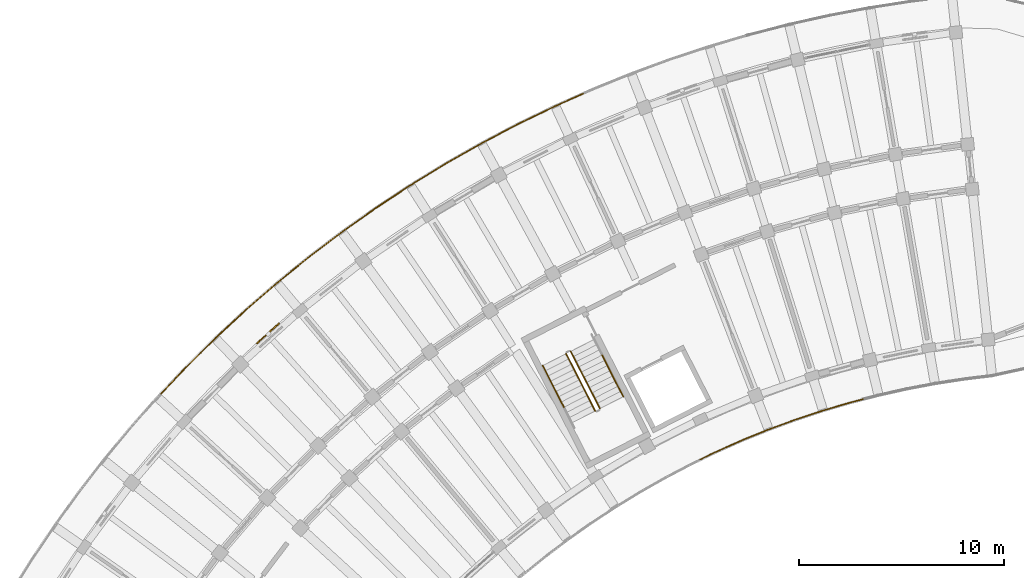
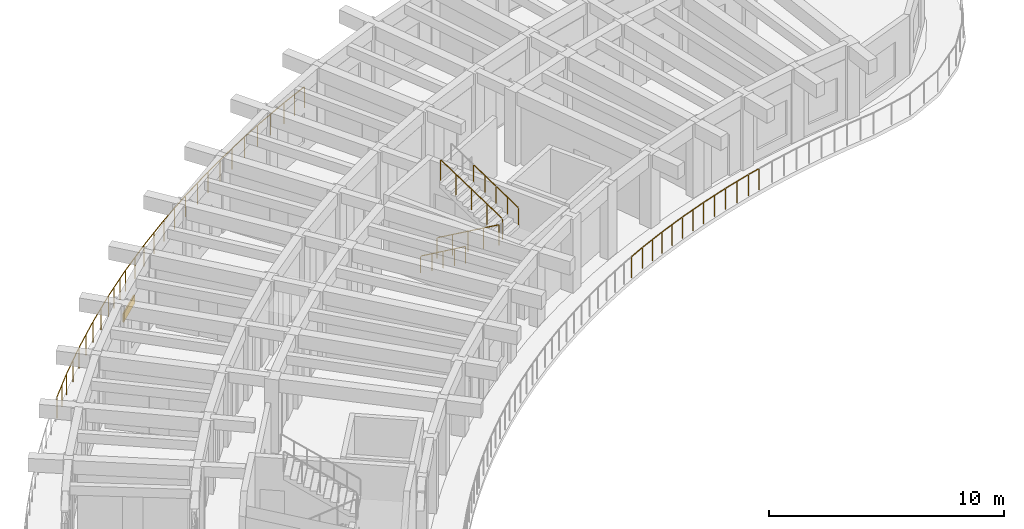
# One storey, part 115 of 128: 10 railings, 1 shading device.
"""IFC4 building model written with IfcOpenShell, lengths in metres."""

from ifc_helpers import new_model, si_unit, direction, frame, origin, origin_2d, place, context, subcontext, project, spatial, rectangle, circle, extrude, material, layer, layer_set, type_object, element, save


model = new_model("IFC4")

# Units and contexts
model_context = context("Model", 3, precision=1e-05, world=origin(), true_north=direction((0.0, 1.0)))
body_context = subcontext(model_context, "Body", "Model", "MODEL_VIEW")
ifc_project = project(units=[si_unit("LENGTHUNIT", "METRE"), si_unit("AREAUNIT", "SQUARE_METRE"), si_unit("VOLUMEUNIT", "CUBIC_METRE"), si_unit("PLANEANGLEUNIT", "RADIAN"), si_unit("MASSUNIT", "GRAM", prefix="KILO")], contexts=[model_context])

# Site, building, storey
site_placement = place(None, origin())
site = spatial("IfcSite", under=ifc_project, at=site_placement, CompositionType="ELEMENT")
building_placement = place(site_placement, origin())
building = spatial("IfcBuilding", under=site, at=building_placement, Name="Tanwirah Colonnade Gardens", CompositionType="ELEMENT")
storey_placement = place(building_placement, frame((0.0, 0.0, 4.760009765625)))
storey = spatial("IfcBuildingStorey", under=building, at=storey_placement, Name="L01", CompositionType="ELEMENT", Elevation=4.760009765625)

# Railings
ifc_material_1 = material(Name="Precast concrete C40/50", Category="concrete")
railing_type_1 = type_object("IfcRailingType", Name="BAL-EXT112", PredefinedType="BALUSTRADE", material=ifc_material_1)
railing_1_placement = place(storey_placement, frame((54.236083984375, 101.494384765625, 0.0)))
element("IfcRailing", 1, at=railing_1_placement, inside=storey, type_object=railing_type_1, Name="Block A L01 Balcony Ribbon Balustrade 2", PredefinedType="BALUSTRADE", context=body_context, shape_type="SweptSolid", body=[
    extrude(circle(Radius=0.02392578125, at=origin_2d()), frame((-0.0302734375, -0.0078125, 1.09619140625), z_axis=(-0.968166647099, -0.250306499006, 0.0), x_axis=(0.250306499006, -0.968166647099, 0.0)), (0.0, 0.0, 1.0), 0.557861328125),
    extrude(circle(Radius=0.02392578125, at=origin_2d()), frame((-0.63330078125, -0.164794921875, 1.09619140625), z_axis=(-0.959362733044, -0.282175736812, 0.0), x_axis=(0.282175736812, -0.959362733044, 0.0)), (0.0, 0.0, 1.0), 1.341796875),
    extrude(circle(Radius=0.02392578125, at=origin_2d()), frame((-1.98291015625, -0.562744140625, 1.09619140625), z_axis=(-0.949531842797, -0.313670654533, 0.0), x_axis=(0.313670654533, -0.949531842797, 0.0)), (0.0, 0.0, 1.0), 1.341552734375),
    extrude(circle(Radius=0.02392578125, at=origin_2d()), frame((-3.318359375, -1.005126953125, 1.09619140625), z_axis=(-0.93868698515, -0.344770567059, 0.0), x_axis=(0.344770567059, -0.93868698515, 0.0)), (0.0, 0.0, 1.0), 1.341796875),
    extrude(circle(Radius=0.02392578125, at=origin_2d()), frame((-4.638671875, -1.4912109375, 1.09619140625), z_axis=(-0.92683738147, -0.375463005247, 0.0), x_axis=(0.375463005247, -0.92683738147, 0.0)), (0.0, 0.0, 1.0), 1.342041015625),
    extrude(circle(Radius=0.02392578125, at=origin_2d()), frame((-5.942138671875, -2.0205078125, 1.09619140625), z_axis=(-0.913997826773, -0.40571908096, 0.0), x_axis=(0.40571908096, -0.913997826773, 0.0)), (0.0, 0.0, 1.0), 1.342041015625),
    extrude(circle(Radius=0.02392578125, at=origin_2d()), frame((-7.2275390625, -2.592529296875, 1.09619140625), z_axis=(-0.900038195948, -0.435811020783, 0.0), x_axis=(0.435811020783, -0.900038195948, 0.0)), (0.0, 0.0, 1.0), 0.779541015625),
    extrude(circle(Radius=0.02099609375, at=origin_2d()), origin(), (0.0, 0.0, 1.0), 1.069091796875),
    extrude(circle(Radius=0.02099609375, at=origin_2d()), frame((-0.6005859375, -0.1552734375, 0.0)), (0.0, 0.0, 1.0), 1.069091796875),
    extrude(circle(Radius=0.02099609375, at=origin_2d()), frame((-1.27685546875, -0.35400390625, 0.0)), (0.0, 0.0, 1.0), 1.069091796875),
    extrude(circle(Radius=0.02099609375, at=origin_2d()), frame((-1.950439453125, -0.55224609375, 0.0)), (0.0, 0.0, 1.0), 1.069091796875),
    extrude(circle(Radius=0.02099609375, at=origin_2d()), frame((-2.61962890625, -0.773193359375, 0.0)), (0.0, 0.0, 1.0), 1.069091796875),
    extrude(circle(Radius=0.02099609375, at=origin_2d()), frame((-3.286376953125, -0.993408203125, 0.0)), (0.0, 0.0, 1.0), 1.069091796875),
    extrude(circle(Radius=0.02099609375, at=origin_2d()), frame((-3.9482421875, -1.236328125, 0.0)), (0.0, 0.0, 1.0), 1.069091796875),
    extrude(circle(Radius=0.02099609375, at=origin_2d()), frame((-4.607177734375, -1.478515625, 0.0)), (0.0, 0.0, 1.0), 1.069091796875),
    extrude(circle(Radius=0.02099609375, at=origin_2d()), frame((-5.260498046875, -1.7431640625, 0.0)), (0.0, 0.0, 1.0), 1.069091796875),
    extrude(circle(Radius=0.02099609375, at=origin_2d()), frame((-5.911376953125, -2.0068359375, 0.0)), (0.0, 0.0, 1.0), 1.069091796875),
    extrude(circle(Radius=0.02099609375, at=origin_2d()), frame((-6.555419921875, -2.292724609375, 0.0)), (0.0, 0.0, 1.0), 1.069091796875),
    extrude(circle(Radius=0.02099609375, at=origin_2d()), frame((-7.197265625, -2.57763671875, 0.0)), (0.0, 0.0, 1.0), 1.069091796875),
    extrude(circle(Radius=0.02099609375, at=origin_2d()), frame((-7.957275390625, -2.94580078125, 0.0)), (0.0, 0.0, 1.0), 1.069091796875),
])
railing_2_placement = place(storey_placement, frame((19.91796875, 101.760986328125, 0.0)))
element("IfcRailing", 2, at=railing_2_placement, inside=storey, type_object=railing_type_1, Name="Block A L01 Balcony Ribbon Balustrade 14", PredefinedType="BALUSTRADE", context=body_context, shape_type="SweptSolid", body=[
    extrude(circle(Radius=0.02392578125, at=origin_2d()), frame((0.021484375, 0.022705078125, 1.09619140625), z_axis=(0.686974448696, 0.726681571831, 0.0), x_axis=(-0.726681571831, 0.686974448696, 0.0)), (0.0, 0.0, 1.0), 1.71435546875),
    extrude(circle(Radius=0.02392578125, at=origin_2d()), frame((1.242919921875, 1.313232421875, 1.09619140625), z_axis=(0.710480209462, 0.703717181801, 0.0), x_axis=(-0.703717181801, 0.710480209462, 0.0)), (0.0, 0.0, 1.0), 1.958984375),
    extrude(circle(Radius=0.02392578125, at=origin_2d()), frame((2.679931640625, 2.735107421875, 1.09619140625), z_axis=(0.733352454033, 0.679848643569, 0.0), x_axis=(-0.679848643569, 0.733352454033, 0.0)), (0.0, 0.0, 1.0), 1.958984375),
    extrude(circle(Radius=0.02392578125, at=origin_2d()), frame((4.1630859375, 4.108642578125, 1.09619140625), z_axis=(0.755338292497, 0.655335077565, 0.0), x_axis=(-0.655335077565, 0.755338292497, 0.0)), (0.0, 0.0, 1.0), 1.958984375),
    extrude(circle(Radius=0.02392578125, at=origin_2d()), frame((5.6904296875, 5.4326171875, 1.09619140625), z_axis=(0.776510659425, 0.630104115047, 0.0), x_axis=(-0.630104115047, 0.776510659425, 0.0)), (0.0, 0.0, 1.0), 0.59619140625),
    extrude(circle(Radius=0.02099609375, at=origin_2d()), origin(), (0.0, 0.0, 1.0), 1.069091796875),
    extrude(circle(Radius=0.02099609375, at=origin_2d()), frame((0.6103515625, 0.6455078125, 0.0)), (0.0, 0.0, 1.0), 1.069091796875),
    extrude(circle(Radius=0.02099609375, at=origin_2d()), frame((1.220703125, 1.291259765625, 0.0)), (0.0, 0.0, 1.0), 1.069091796875),
    extrude(circle(Radius=0.02099609375, at=origin_2d()), frame((1.93896484375, 2.00244140625, 0.0)), (0.0, 0.0, 1.0), 1.069091796875),
    extrude(circle(Radius=0.02099609375, at=origin_2d()), frame((2.656982421875, 2.7138671875, 0.0)), (0.0, 0.0, 1.0), 1.069091796875),
    extrude(circle(Radius=0.02099609375, at=origin_2d()), frame((3.398193359375, 3.40087890625, 0.0)), (0.0, 0.0, 1.0), 1.069091796875),
    extrude(circle(Radius=0.02099609375, at=origin_2d()), frame((4.139404296875, 4.088134765625, 0.0)), (0.0, 0.0, 1.0), 1.069091796875),
    extrude(circle(Radius=0.02099609375, at=origin_2d()), frame((4.90283203125, 4.75048828125, 0.0)), (0.0, 0.0, 1.0), 1.069091796875),
    extrude(circle(Radius=0.02099609375, at=origin_2d()), frame((5.666259765625, 5.412841796875, 0.0)), (0.0, 0.0, 1.0), 1.069091796875),
    extrude(circle(Radius=0.02099609375, at=origin_2d()), frame((6.177734375, 5.827880859375, 0.0)), (0.0, 0.0, 1.0), 1.069091796875),
])
railing_3_placement = place(storey_placement, frame((26.095703125, 107.5888671875, 0.0)))
element("IfcRailing", 3, at=railing_3_placement, inside=storey, type_object=railing_type_1, Name="Block A L01 Balcony Ribbon Balustrade 15", PredefinedType="BALUSTRADE", context=body_context, shape_type="SweptSolid", body=[
    extrude(circle(Radius=0.02392578125, at=origin_2d()), frame((0.024169921875, 0.019775390625, 1.09619140625), z_axis=(0.776568601174, 0.630032703652, 0.0), x_axis=(-0.630032703652, 0.776568601174, 0.0)), (0.0, 0.0, 1.0), 1.30029296875),
    extrude(circle(Radius=0.02392578125, at=origin_2d()), frame((1.083251953125, 0.87744140625, 1.09619140625), z_axis=(0.796887753746, 0.604127393792, 0.0), x_axis=(-0.604127393792, 0.796887753746, 0.0)), (0.0, 0.0, 1.0), 1.958984375),
    extrude(circle(Radius=0.02392578125, at=origin_2d()), frame((2.69482421875, 2.097900390625, 1.09619140625), z_axis=(0.816344803849, 0.577564854565, 0.0), x_axis=(-0.577564854565, 0.816344803849, 0.0)), (0.0, 0.0, 1.0), 1.958740234375),
    extrude(circle(Radius=0.02392578125, at=origin_2d()), frame((4.345458984375, 3.264404296875, 1.09619140625), z_axis=(0.834955682369, 0.550317188973, 0.0), x_axis=(-0.550317188973, 0.834955682369, 0.0)), (0.0, 0.0, 1.0), 1.959228515625),
    extrude(circle(Radius=0.02392578125, at=origin_2d()), frame((6.033935546875, 4.376220703125, 1.09619140625), z_axis=(0.852594710096, 0.522572732082, 0.0), x_axis=(-0.522572732082, 0.852594710096, 0.0)), (0.0, 0.0, 1.0), 1.01025390625),
    extrude(circle(Radius=0.02099609375, at=origin_2d()), origin(), (0.0, 0.0, 1.0), 1.069091796875),
    extrude(circle(Radius=0.02099609375, at=origin_2d()), frame((0.529296875, 0.42919921875, 0.0)), (0.0, 0.0, 1.0), 1.069091796875),
    extrude(circle(Radius=0.02099609375, at=origin_2d()), frame((1.058349609375, 0.858642578125, 0.0)), (0.0, 0.0, 1.0), 1.069091796875),
    extrude(circle(Radius=0.02099609375, at=origin_2d()), frame((1.86376953125, 1.46923828125, 0.0)), (0.0, 0.0, 1.0), 1.069091796875),
    extrude(circle(Radius=0.02099609375, at=origin_2d()), frame((2.669189453125, 2.079833984375, 0.0)), (0.0, 0.0, 1.0), 1.069091796875),
    extrude(circle(Radius=0.02099609375, at=origin_2d()), frame((3.494140625, 2.66357421875, 0.0)), (0.0, 0.0, 1.0), 1.069091796875),
    extrude(circle(Radius=0.02099609375, at=origin_2d()), frame((4.3193359375, 3.247314453125, 0.0)), (0.0, 0.0, 1.0), 1.069091796875),
    extrude(circle(Radius=0.02099609375, at=origin_2d()), frame((5.163330078125, 3.8037109375, 0.0)), (0.0, 0.0, 1.0), 1.069091796875),
    extrude(circle(Radius=0.02099609375, at=origin_2d()), frame((6.00732421875, 4.35986328125, 0.0)), (0.0, 0.0, 1.0), 1.069091796875),
    extrude(circle(Radius=0.02099609375, at=origin_2d()), frame((6.921875, 4.92041015625, 0.0)), (0.0, 0.0, 1.0), 1.069091796875),
])
railing_4_placement = place(storey_placement, frame((33.017578125, 112.50927734375, 0.0)))
element("IfcRailing", 4, at=railing_4_placement, inside=storey, type_object=railing_type_1, Name="Block A L01 Balcony Ribbon Balustrade 16", PredefinedType="BALUSTRADE", context=body_context, shape_type="SweptSolid", body=[
    extrude(circle(Radius=0.02392578125, at=origin_2d()), frame((0.026611328125, 0.016357421875, 1.09619140625), z_axis=(0.852734357798, 0.522344823877, 0.0), x_axis=(-0.522344823877, 0.852734357798, 0.0)), (0.0, 0.0, 1.0), 0.88623046875),
    extrude(circle(Radius=0.02392578125, at=origin_2d()), frame((0.836181640625, 0.510986328125, 1.09619140625), z_axis=(0.869392881113, 0.494121461049, 0.0), x_axis=(-0.494121461049, 0.869392881113, 0.0)), (0.0, 0.0, 1.0), 1.958740234375),
    extrude(circle(Radius=0.02392578125, at=origin_2d()), frame((2.593994140625, 1.509033203125, 1.09619140625), z_axis=(0.885211446817, 0.465188880374, 0.0), x_axis=(-0.465188880374, 0.885211446817, 0.0)), (0.0, 0.0, 1.0), 1.958984375),
    extrude(circle(Radius=0.02392578125, at=origin_2d()), frame((4.384033203125, 2.448486328125, 1.09619140625), z_axis=(0.900055350621, 0.435775591122, 0.0), x_axis=(-0.435775591122, 0.900055350621, 0.0)), (0.0, 0.0, 1.0), 1.958740234375),
    extrude(circle(Radius=0.02392578125, at=origin_2d()), frame((6.203857421875, 3.328369140625, 1.09619140625), z_axis=(0.913919852198, 0.405894695406, 0.0), x_axis=(-0.405894695406, 0.913919852198, 0.0)), (0.0, 0.0, 1.0), 1.42431640625),
    extrude(circle(Radius=0.02099609375, at=origin_2d()), origin(), (0.0, 0.0, 1.0), 1.069091796875),
    extrude(circle(Radius=0.02099609375, at=origin_2d()), frame((0.80908203125, 0.49560546875, 0.0)), (0.0, 0.0, 1.0), 1.069091796875),
    extrude(circle(Radius=0.02099609375, at=origin_2d()), frame((1.687744140625, 0.9951171875, 0.0)), (0.0, 0.0, 1.0), 1.069091796875),
    extrude(circle(Radius=0.02099609375, at=origin_2d()), frame((2.56640625, 1.494384765625, 0.0)), (0.0, 0.0, 1.0), 1.069091796875),
    extrude(circle(Radius=0.02099609375, at=origin_2d()), frame((3.461181640625, 1.964599609375, 0.0)), (0.0, 0.0, 1.0), 1.069091796875),
    extrude(circle(Radius=0.02099609375, at=origin_2d()), frame((4.35595703125, 2.434814453125, 0.0)), (0.0, 0.0, 1.0), 1.069091796875),
    extrude(circle(Radius=0.02099609375, at=origin_2d()), frame((5.265625, 2.875244140625, 0.0)), (0.0, 0.0, 1.0), 1.069091796875),
    extrude(circle(Radius=0.02099609375, at=origin_2d()), frame((6.17529296875, 3.315673828125, 0.0)), (0.0, 0.0, 1.0), 1.069091796875),
    extrude(circle(Radius=0.02099609375, at=origin_2d()), frame((6.854736328125, 3.617431640625, 0.0)), (0.0, 0.0, 1.0), 1.069091796875),
    extrude(circle(Radius=0.02099609375, at=origin_2d()), frame((7.5341796875, 3.919189453125, 0.0)), (0.0, 0.0, 1.0), 1.069091796875),
])
ifc_material_2 = material(Name="Powder-coated galvanized steel", Category="steel")
railing_type_2 = type_object("IfcRailingType", Name="GRD-ST110", PredefinedType="GUARDRAIL", material=ifc_material_2)
railing_5_placement = place(storey_placement, frame((39.718994140625, 103.715576171875, 0.169921875)))
element("IfcRailing", 5, at=railing_5_placement, inside=storey, type_object=railing_type_2, Name="L01 ST-A1 stair guard 1", PredefinedType="GUARDRAIL", context=body_context, shape_type="SweptSolid", body=[
    extrude(circle(Radius=0.02392578125, at=origin_2d()), frame((0.01220703125, -0.02392578125, 1.092041015625), z_axis=(0.389838879653, -0.765231851259, 0.512294702032), x_axis=(0.891037713976, 0.453929281137, 0.0)), (0.0, 0.0, 1.0), 3.587890625),
    extrude(circle(Radius=0.02099609375, at=origin_2d()), origin(), (0.0, 0.0, 1.0), 1.049072265625),
    extrude(circle(Radius=0.02099609375, at=origin_2d()), frame((0.355712890625, -0.6982421875, 0.467529296875)), (0.0, 0.0, 1.0), 1.049072265625),
    extrude(circle(Radius=0.02099609375, at=origin_2d()), frame((0.71142578125, -1.396728515625, 0.93505859375)), (0.0, 0.0, 1.0), 1.049072265625),
    extrude(circle(Radius=0.02099609375, at=origin_2d()), frame((1.0673828125, -2.09521484375, 1.402587890625)), (0.0, 0.0, 1.0), 1.049072265625),
    extrude(circle(Radius=0.02099609375, at=origin_2d()), frame((1.423095703125, -2.79345703125, 1.8701171875)), (0.0, 0.0, 1.0), 1.049072265625),
])
railing_6_placement = place(storey_placement, frame((41.373779296875, 101.040283203125, 2.2099609375)))
element("IfcRailing", 6, at=railing_6_placement, inside=storey, type_object=railing_type_2, Name="L01 ST-A1 stair guard 3", PredefinedType="GUARDRAIL", context=body_context, shape_type="SweptSolid", body=[
    extrude(circle(Radius=0.02392578125, at=origin_2d()), frame((-0.01220703125, 0.02392578125, 1.092041015625), z_axis=(-0.389915546449, 0.765184179575, 0.512307561886), x_axis=(-0.890990163661, -0.454022607652, 0.0)), (0.0, 0.0, 1.0), 3.587890625),
    extrude(circle(Radius=0.02099609375, at=origin_2d()), origin(), (0.0, 0.0, 1.0), 1.049072265625),
    extrude(circle(Radius=0.02099609375, at=origin_2d()), frame((-0.35595703125, 0.6982421875, 0.467529296875)), (0.0, 0.0, 1.0), 1.049072265625),
    extrude(circle(Radius=0.02099609375, at=origin_2d()), frame((-0.711669921875, 1.396484375, 0.93505859375)), (0.0, 0.0, 1.0), 1.049072265625),
    extrude(circle(Radius=0.02099609375, at=origin_2d()), frame((-1.0673828125, 2.094970703125, 1.402587890625)), (0.0, 0.0, 1.0), 1.049072265625),
    extrude(circle(Radius=0.02099609375, at=origin_2d()), frame((-1.42333984375, 2.793212890625, 1.8701171875)), (0.0, 0.0, 1.0), 1.049072265625),
])
ifc_material_3 = material(Name="Brushed bronze stainless steel", Category="steel")
railing_type_3 = type_object("IfcRailingType", Name="HR-ST090", PredefinedType="HANDRAIL", material=ifc_material_3)
railing_7_placement = place(storey_placement, frame((38.578369140625, 103.134521484375, 0.169921875)))
element("IfcRailing", 7, at=railing_7_placement, inside=storey, type_object=railing_type_3, Name="L01 ST-A1 stair handrail 1", PredefinedType="HANDRAIL", context=body_context, shape_type="SweptSolid", body=[
    extrude(circle(Radius=0.02392578125, at=origin_2d()), frame((0.01220703125, -0.02392578125, 0.89208984375), z_axis=(0.388978247368, -0.763461550611, 0.515579658067), x_axis=(0.891018251792, 0.453967482287, 0.0)), (0.0, 0.0, 1.0), 1.26806640625),
    extrude(circle(Radius=0.02099609375, at=origin_2d()), origin(), (0.0, 0.0, 1.0), 0.848876953125),
    extrude(circle(Radius=0.02099609375, at=origin_2d()), frame((0.2587890625, -0.5078125, 0.343017578125)), (0.0, 0.0, 1.0), 0.848876953125),
    extrude(circle(Radius=0.02099609375, at=origin_2d()), frame((0.517578125, -1.015869140625, 0.68603515625)), (0.0, 0.0, 1.0), 0.848876953125),
])
railing_8_placement = place(storey_placement, frame((39.095947265625, 102.11865234375, 0.85595703125)))
element("IfcRailing", 8, at=railing_8_placement, inside=storey, type_object=railing_type_3, Name="L01 ST-A1 stair handrail 2", PredefinedType="HANDRAIL", context=body_context, shape_type="SweptSolid", body=[
    extrude(circle(Radius=0.02392578125, at=origin_2d()), frame((0.01220703125, -0.02392578125, 0.89208984375), z_axis=(0.389032740404, -0.763385000037, 0.515651887044), x_axis=(0.890974108706, 0.454054113091, 0.0)), (0.0, 0.0, 1.0), 1.267822265625),
    extrude(circle(Radius=0.02099609375, at=origin_2d()), origin(), (0.0, 0.0, 1.0), 0.848876953125),
    extrude(circle(Radius=0.02099609375, at=origin_2d()), frame((0.2587890625, -0.5078125, 0.343017578125)), (0.0, 0.0, 1.0), 0.848876953125),
    extrude(circle(Radius=0.02099609375, at=origin_2d()), frame((0.517578125, -1.015625, 0.68603515625)), (0.0, 0.0, 1.0), 0.848876953125),
])
railing_9_placement = place(storey_placement, frame((42.514404296875, 101.621337890625, 2.2099609375)))
element("IfcRailing", 9, at=railing_9_placement, inside=storey, type_object=railing_type_3, Name="L01 ST-A1 stair handrail 4", PredefinedType="HANDRAIL", context=body_context, shape_type="SweptSolid", body=[
    extrude(circle(Radius=0.02392578125, at=origin_2d()), frame((-0.01220703125, 0.02392578125, 0.89208984375), z_axis=(-0.388978247368, 0.763461550611, 0.515579658067), x_axis=(-0.891018251792, -0.453967482287, 0.0)), (0.0, 0.0, 1.0), 1.26806640625),
    extrude(circle(Radius=0.02099609375, at=origin_2d()), origin(), (0.0, 0.0, 1.0), 0.848876953125),
    extrude(circle(Radius=0.02099609375, at=origin_2d()), frame((-0.2587890625, 0.5078125, 0.343017578125)), (0.0, 0.0, 1.0), 0.848876953125),
    extrude(circle(Radius=0.02099609375, at=origin_2d()), frame((-0.517578125, 1.015869140625, 0.68603515625)), (0.0, 0.0, 1.0), 0.848876953125),
])
railing_10_placement = place(storey_placement, frame((41.996826171875, 102.63720703125, 2.89599609375)))
element("IfcRailing", 10, at=railing_10_placement, inside=storey, type_object=railing_type_3, Name="L01 ST-A1 stair handrail 5", PredefinedType="HANDRAIL", context=body_context, shape_type="SweptSolid", body=[
    extrude(circle(Radius=0.02392578125, at=origin_2d()), frame((-0.01220703125, 0.02392578125, 0.89208984375), z_axis=(-0.389032740404, 0.763385000037, 0.515651887044), x_axis=(-0.890974108706, -0.454054113091, 0.0)), (0.0, 0.0, 1.0), 1.267822265625),
    extrude(circle(Radius=0.02099609375, at=origin_2d()), origin(), (0.0, 0.0, 1.0), 0.848876953125),
    extrude(circle(Radius=0.02099609375, at=origin_2d()), frame((-0.2587890625, 0.5078125, 0.343017578125)), (0.0, 0.0, 1.0), 0.848876953125),
    extrude(circle(Radius=0.02099609375, at=origin_2d()), frame((-0.517578125, 1.015625, 0.68603515625)), (0.0, 0.0, 1.0), 0.848876953125),
])

# Shading device
ifc_material_4 = material(Name="Perforated architectural bronze aluminium", Category="aluminium")
ifc_layer = layer(ifc_material_4, 0.050048828125)
ifc_layer_set = layer_set([ifc_layer], Name="Perforated architectural bronze aluminium")
shading_device_type = type_object("IfcShadingDeviceType", Name="SHD-OVH1", PredefinedType="SHUTTER", material=ifc_layer_set)
shading_device_placement = place(storey_placement, frame((25.14453125, 104.7119140625, 1.84521484375), z_axis=(0.0, 0.0, 1.0), x_axis=(-0.744442133721, -0.667686984702, 0.0)))
element("IfcShadingDevice", 11, at=shading_device_placement, inside=storey, type_object=shading_device_type, Name="Solar shading louver hood A-L01-09", PredefinedType="SHUTTER", context=body_context, shape_type="SweptSolid", body=[
    extrude(rectangle(XDim=1.47998046875, YDim=0.06005859375, at=origin_2d()), origin(), (0.0, 0.0, 1.0), 0.449951171875),
])

save(model, "model.ifc")
